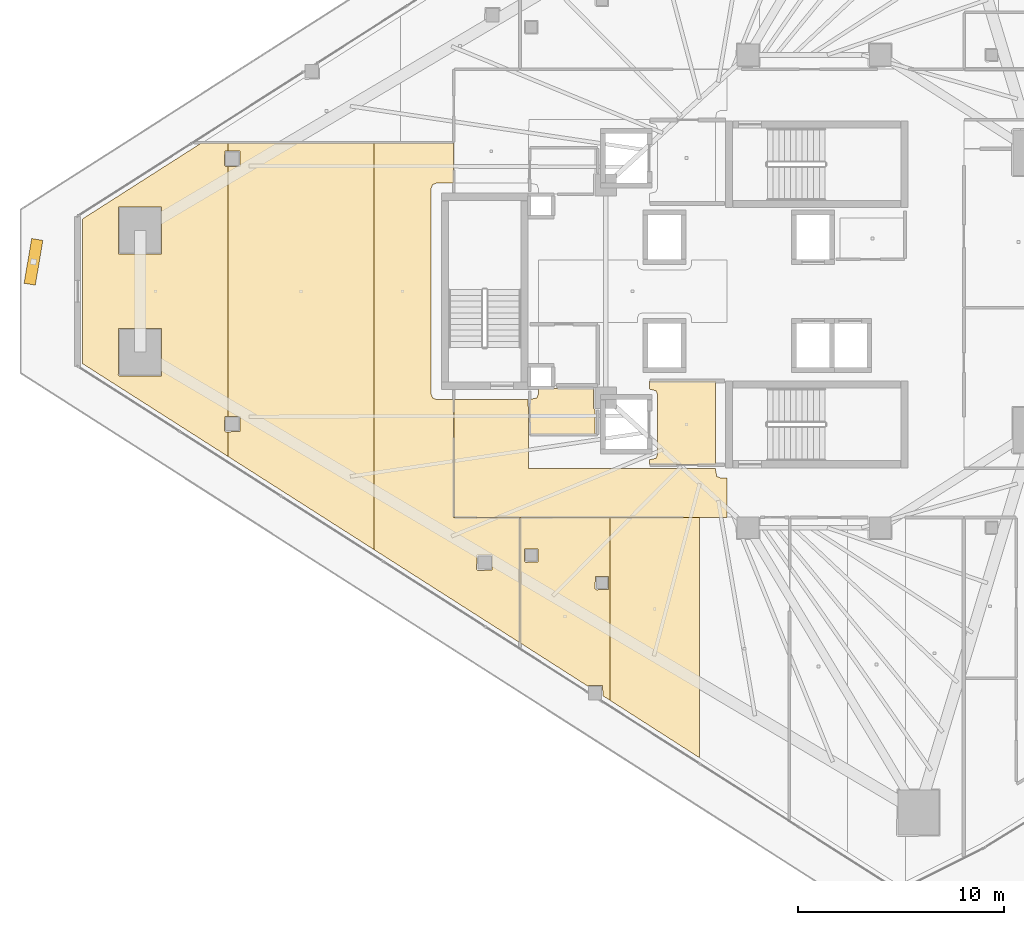
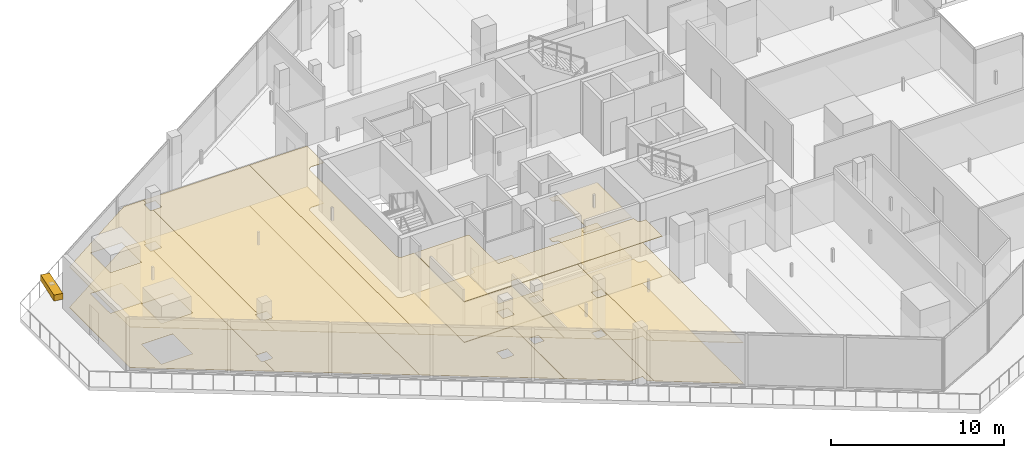
# One storey, part 30 of 36: 15 coverings, 1 shading device.
"""IFC4 building model written with IfcOpenShell, lengths in metres."""

from ifc_helpers import new_model, si_unit, direction, frame, origin, origin_2d, place, context, subcontext, project, spatial, polyline, rectangle, outline, extrude, material, layer, layer_set, type_object, element, save


model = new_model("IFC4")

# Units and contexts
model_context = context("Model", 3, precision=1e-05, world=origin(), true_north=direction((0.0, 1.0)))
body_context = subcontext(model_context, "Body", "Model", "MODEL_VIEW")
ifc_project = project(units=[si_unit("LENGTHUNIT", "METRE"), si_unit("AREAUNIT", "SQUARE_METRE"), si_unit("VOLUMEUNIT", "CUBIC_METRE"), si_unit("PLANEANGLEUNIT", "RADIAN"), si_unit("MASSUNIT", "GRAM", prefix="KILO")], contexts=[model_context])

# Site, building, storey
site_placement = place(None, origin())
site = spatial("IfcSite", under=ifc_project, at=site_placement, CompositionType="ELEMENT")
building_placement = place(site_placement, origin())
building = spatial("IfcBuilding", under=site, at=building_placement, Name="Qorvath Tower", CompositionType="ELEMENT")
storey_placement = place(building_placement, frame((0.0, 0.0, 170.550048828125)))
storey = spatial("IfcBuildingStorey", under=building, at=storey_placement, Name="L39", CompositionType="ELEMENT", Elevation=170.550048828125)

# Coverings
ifc_material_1 = material(Name="Acoustic mineral fibre ceiling tile", Category="gypsum")
ifc_layer_1 = layer(ifc_material_1, 0.030029296875)
ifc_layer_set_1 = layer_set([ifc_layer_1], Name="COV-CEIL")
covering_type_1 = type_object("IfcCoveringType", Name="COV-CEIL", PredefinedType="CEILING", material=ifc_layer_set_1)
covering_1_placement = place(storey_placement, frame((0.0, 0.0, 2.849853515625)))
element("IfcCovering", 1, at=covering_1_placement, inside=storey, type_object=covering_type_1, Name="L39 Suspended Acoustic Ceiling 002", PredefinedType="CEILING", context=body_context, shape_type="SweptSolid", body=[
    extrude(outline(polyline([(-25.18994140625, -8.39501953125), (-25.18994140625, -4.35498046875), (-28.375, -4.35498046875), (-28.375, -4.739990234375), (-28.063232421875, -4.813232421875), (-27.989990234375, -4.989990234375), (-27.989990234375, -7.909912109375), (-28.063232421875, -8.086669921875), (-28.375, -8.159912109375), (-28.375, -8.39501953125), (-25.18994140625, -8.39501953125)])), origin(), (0.0, 0.0, 1.0), 0.030029296875),
])
covering_2_placement = place(storey_placement, frame((0.0, 0.0, 2.849853515625)))
element("IfcCovering", 2, at=covering_2_placement, inside=storey, type_object=covering_type_1, Name="L39 Suspended Acoustic Ceiling 007", PredefinedType="CEILING", context=body_context, shape_type="SweptSolid", body=[
    extrude(outline(polyline([(-34.22509765625, -8.580078125), (-34.251220703125, -5.239990234375), (-37.844970703125, -5.239990234375), (-37.844970703125, -10.945068359375), (-24.621826171875, -10.945068359375), (-24.621826171875, -9.0400390625), (-24.93994140625, -9.0400390625), (-25.11669921875, -8.966796875), (-25.18994140625, -8.57421875), (-34.22509765625, -8.580078125)])), origin(), (0.0, 0.0, 1.0), 0.030029296875),
])
covering_3_placement = place(storey_placement, frame((0.0, 0.0, 2.849853515625)))
element("IfcCovering", 3, at=covering_3_placement, inside=storey, type_object=covering_type_1, Name="L39 Suspended Acoustic Ceiling 013", PredefinedType="CEILING", context=body_context, shape_type="SweptSolid", body=[
    extrude(outline(polyline([(-30.294189453125, -19.8095703125), (-30.294189453125, -10.955078125), (-34.64501953125, -10.962890625), (-34.64501953125, -17.0283203125), (-31.39013671875, -19.108642578125), (-30.648681640625, -19.093017578125), (-30.631103515625, -19.59375), (-30.294189453125, -19.8095703125)]), holes=[polyline([(-31.01220703125, -14.3994140625), (-30.99462890625, -13.806884765625), (-30.35986328125, -13.806884765625), (-30.35986328125, -14.441650390625), (-30.9521484375, -14.459228515625), (-31.01220703125, -14.3994140625)]), polyline([(-34.439208984375, -13.0673828125), (-34.421630859375, -12.47509765625), (-33.786865234375, -12.47509765625), (-33.786865234375, -13.10986328125), (-34.379150390625, -13.12744140625), (-34.439208984375, -13.0673828125)])]), origin(), (0.0, 0.0, 1.0), 0.030029296875),
])
covering_4_placement = place(storey_placement, frame((0.0, 0.0, 2.849853515625)))
element("IfcCovering", 4, at=covering_4_placement, inside=storey, type_object=covering_type_1, Name="L39 Suspended Acoustic Ceiling 014", PredefinedType="CEILING", context=body_context, shape_type="SweptSolid", body=[
    extrude(outline(polyline([(-25.943603515625, -22.598388671875), (-25.943603515625, -10.947021484375), (-30.294189453125, -10.955078125), (-30.294189453125, -19.8095703125), (-25.943603515625, -22.598388671875)])), origin(), (0.0, 0.0, 1.0), 0.030029296875),
])
covering_5_placement = place(storey_placement, frame((0.0, 0.0, 2.849853515625)))
element("IfcCovering", 5, at=covering_5_placement, inside=storey, type_object=covering_type_1, Name="L39 Suspended Acoustic Ceiling 033", PredefinedType="CEILING", context=body_context, shape_type="SweptSolid", body=[
    extrude(outline(polyline([(-55.840087890625, 3.505126953125), (-55.84375, -3.50048828125), (-48.783447265625, -8.005859375), (-48.783447265625, -6.806640625), (-48.9033203125, -6.8095703125), (-48.96337890625, -6.74951171875), (-48.94580078125, -6.05712890625), (-48.783447265625, -6.05712890625), (-48.783447265625, 6.042724609375), (-48.9033203125, 6.03955078125), (-48.96337890625, 6.099609375), (-48.94580078125, 6.7919921875), (-48.783447265625, 6.7919921875), (-48.783447265625, 7.185302734375), (-50.07861328125, 7.185302734375), (-55.840087890625, 3.505126953125)]), holes=[polyline([(-54.109375, -4.05078125), (-54.091796875, -1.808349609375), (-52.007080078125, -1.808349609375), (-52.007080078125, -4.09326171875), (-54.04931640625, -4.11083984375), (-54.109375, -4.05078125)]), polyline([(-54.091796875, 1.808349609375), (-54.091796875, 4.09326171875), (-52.007080078125, 4.09326171875), (-52.007080078125, 1.808349609375), (-54.091796875, 1.808349609375)])]), origin(), (0.0, 0.0, 1.0), 0.030029296875),
])
covering_6_placement = place(storey_placement, frame((0.0, 0.0, 2.849853515625)))
element("IfcCovering", 6, at=covering_6_placement, inside=storey, type_object=covering_type_1, Name="L39 Suspended Acoustic Ceiling 034", PredefinedType="CEILING", context=body_context, shape_type="SweptSolid", body=[
    extrude(outline(polyline([(-48.783447265625, 7.185302734375), (-48.783447265625, 6.7919921875), (-48.2109375, 6.7919921875), (-48.2109375, 6.05712890625), (-48.783447265625, 6.042724609375), (-48.783447265625, -6.05712890625), (-48.2109375, -6.05712890625), (-48.2109375, -6.7919921875), (-48.783447265625, -6.806640625), (-48.783447265625, -8.005859375), (-41.72314453125, -12.51123046875), (-41.72314453125, 7.18505859375), (-48.783447265625, 7.185302734375)])), origin(), (0.0, 0.0, 1.0), 0.030029296875),
])
covering_7_placement = place(storey_placement, frame((0.0, 0.0, 2.849853515625)))
element("IfcCovering", 7, at=covering_7_placement, inside=storey, type_object=covering_type_1, Name="L39 Suspended Acoustic Ceiling 035", PredefinedType="CEILING", context=body_context, shape_type="SweptSolid", body=[
    extrude(outline(polyline([(-41.72314453125, 7.18505859375), (-41.72314453125, -12.51123046875), (-34.6630859375, -17.016845703125), (-34.6630859375, -10.962890625), (-37.861572265625, -10.96142578125), (-37.863037109375, -5.239990234375), (-38.699951171875, -5.239990234375), (-38.876708984375, -5.166748046875), (-38.949951171875, -4.989990234375), (-38.949951171875, 4.989990234375), (-38.876708984375, 5.166748046875), (-38.699951171875, 5.239990234375), (-37.863037109375, 5.239990234375), (-37.863037109375, 7.18505859375), (-41.72314453125, 7.18505859375)]), holes=[polyline([(-36.749755859375, -13.46044921875), (-36.732177734375, -12.76806640625), (-35.997314453125, -12.76806640625), (-35.997314453125, -13.5029296875), (-36.689697265625, -13.5205078125), (-36.749755859375, -13.46044921875)])]), origin(), (0.0, 0.0, 1.0), 0.030029296875),
])
ifc_material_2 = material(Name="Low-VOC modular carpet tile", Category="textile")
ifc_layer_2 = layer(ifc_material_2, 0.014892578125)
ifc_layer_set_2 = layer_set([ifc_layer_2], Name="COV-FLOOR-CPT")
covering_type_2 = type_object("IfcCoveringType", Name="COV-FLOOR-CPT", PredefinedType="FLOORING", material=ifc_layer_set_2)
covering_8_placement = place(storey_placement, origin())
element("IfcCovering", 8, at=covering_8_placement, inside=storey, type_object=covering_type_2, Name="L39 Floor Finish 013", PredefinedType="FLOORING", context=body_context, shape_type="SweptSolid", body=[
    extrude(outline(polyline([(-30.294189453125, -19.8095703125), (-30.294189453125, -10.955078125), (-34.64501953125, -10.962890625), (-34.64501953125, -17.0283203125), (-31.39013671875, -19.108642578125), (-30.648681640625, -19.093017578125), (-30.631103515625, -19.59375), (-30.294189453125, -19.8095703125)]), holes=[polyline([(-31.01220703125, -14.3994140625), (-30.99462890625, -13.806884765625), (-30.35986328125, -13.806884765625), (-30.35986328125, -14.441650390625), (-30.9521484375, -14.459228515625), (-31.01220703125, -14.3994140625)]), polyline([(-34.439208984375, -13.0673828125), (-34.421630859375, -12.47509765625), (-33.786865234375, -12.47509765625), (-33.786865234375, -13.10986328125), (-34.379150390625, -13.12744140625), (-34.439208984375, -13.0673828125)])]), origin(), (0.0, 0.0, 1.0), 0.014892578125),
])
covering_9_placement = place(storey_placement, origin())
element("IfcCovering", 9, at=covering_9_placement, inside=storey, type_object=covering_type_2, Name="L39 Floor Finish 014", PredefinedType="FLOORING", context=body_context, shape_type="SweptSolid", body=[
    extrude(outline(polyline([(-25.943603515625, -22.598388671875), (-25.943603515625, -10.947021484375), (-30.294189453125, -10.955078125), (-30.294189453125, -19.8095703125), (-25.943603515625, -22.598388671875)])), origin(), (0.0, 0.0, 1.0), 0.014892578125),
])
covering_10_placement = place(storey_placement, origin())
element("IfcCovering", 10, at=covering_10_placement, inside=storey, type_object=covering_type_2, Name="L39 Floor Finish 033", PredefinedType="FLOORING", context=body_context, shape_type="SweptSolid", body=[
    extrude(outline(polyline([(-55.840087890625, 3.505126953125), (-55.84375, -3.50048828125), (-48.783447265625, -8.005859375), (-48.783447265625, -6.806640625), (-48.9033203125, -6.8095703125), (-48.96337890625, -6.74951171875), (-48.94580078125, -6.05712890625), (-48.783447265625, -6.05712890625), (-48.783447265625, 6.042724609375), (-48.9033203125, 6.03955078125), (-48.96337890625, 6.099609375), (-48.94580078125, 6.7919921875), (-48.783447265625, 6.7919921875), (-48.783447265625, 7.185302734375), (-50.07861328125, 7.185302734375), (-55.840087890625, 3.505126953125)]), holes=[polyline([(-54.109375, -4.05078125), (-54.091796875, -1.808349609375), (-52.007080078125, -1.808349609375), (-52.007080078125, -4.09326171875), (-54.04931640625, -4.11083984375), (-54.109375, -4.05078125)]), polyline([(-54.091796875, 1.808349609375), (-54.091796875, 4.09326171875), (-52.007080078125, 4.09326171875), (-52.007080078125, 1.808349609375), (-54.091796875, 1.808349609375)])]), origin(), (0.0, 0.0, 1.0), 0.014892578125),
])
covering_11_placement = place(storey_placement, origin())
element("IfcCovering", 11, at=covering_11_placement, inside=storey, type_object=covering_type_2, Name="L39 Floor Finish 034", PredefinedType="FLOORING", context=body_context, shape_type="SweptSolid", body=[
    extrude(outline(polyline([(-48.783447265625, 7.185302734375), (-48.783447265625, 6.7919921875), (-48.2109375, 6.7919921875), (-48.2109375, 6.05712890625), (-48.783447265625, 6.042724609375), (-48.783447265625, -6.05712890625), (-48.2109375, -6.05712890625), (-48.2109375, -6.7919921875), (-48.783447265625, -6.806640625), (-48.783447265625, -8.005859375), (-41.72314453125, -12.51123046875), (-41.72314453125, 7.18505859375), (-48.783447265625, 7.185302734375)])), origin(), (0.0, 0.0, 1.0), 0.014892578125),
])
covering_12_placement = place(storey_placement, origin())
element("IfcCovering", 12, at=covering_12_placement, inside=storey, type_object=covering_type_2, Name="L39 Floor Finish 035", PredefinedType="FLOORING", context=body_context, shape_type="SweptSolid", body=[
    extrude(outline(polyline([(-41.72314453125, 7.18505859375), (-41.72314453125, -12.51123046875), (-34.6630859375, -17.016845703125), (-34.6630859375, -10.962890625), (-37.861572265625, -10.96142578125), (-37.863037109375, -5.239990234375), (-38.699951171875, -5.239990234375), (-38.876708984375, -5.166748046875), (-38.949951171875, -4.989990234375), (-38.949951171875, 4.989990234375), (-38.876708984375, 5.166748046875), (-38.699951171875, 5.239990234375), (-37.863037109375, 5.239990234375), (-37.863037109375, 7.18505859375), (-41.72314453125, 7.18505859375)]), holes=[polyline([(-36.749755859375, -13.46044921875), (-36.732177734375, -12.76806640625), (-35.997314453125, -12.76806640625), (-35.997314453125, -13.5029296875), (-36.689697265625, -13.5205078125), (-36.749755859375, -13.46044921875)])]), origin(), (0.0, 0.0, 1.0), 0.014892578125),
])
ifc_material_3 = material(Name="Polished epoxy terrazzo flooring", Category="concrete")
ifc_layer_3 = layer(ifc_material_3, 0.02001953125)
ifc_layer_set_3 = layer_set([ifc_layer_3], Name="COV-FLOOR-TRZ")
covering_type_3 = type_object("IfcCoveringType", Name="COV-FLOOR-TRZ", PredefinedType="FLOORING", material=ifc_layer_set_3)
covering_13_placement = place(storey_placement, origin())
element("IfcCovering", 13, at=covering_13_placement, inside=storey, type_object=covering_type_3, Name="L39 Floor Finish 002", PredefinedType="FLOORING", context=body_context, shape_type="SweptSolid", body=[
    extrude(outline(polyline([(-25.18994140625, -8.39501953125), (-25.18994140625, -4.35498046875), (-28.375, -4.35498046875), (-28.375, -4.739990234375), (-28.063232421875, -4.813232421875), (-27.989990234375, -4.989990234375), (-27.989990234375, -7.909912109375), (-28.063232421875, -8.086669921875), (-28.375, -8.159912109375), (-28.375, -8.39501953125), (-25.18994140625, -8.39501953125)])), origin(), (0.0, 0.0, 1.0), 0.014892578125),
])
covering_14_placement = place(storey_placement, origin())
element("IfcCovering", 14, at=covering_14_placement, inside=storey, type_object=covering_type_3, Name="L39 Floor Finish 005", PredefinedType="FLOORING", context=body_context, shape_type="SweptSolid", body=[
    extrude(outline(polyline([(-31.0849609375, -4.705078125), (-33.760009765625, -4.705078125), (-33.760009765625, -4.989990234375), (-33.833251953125, -5.166748046875), (-34.175048828125, -5.239990234375), (-34.175048828125, -6.945068359375), (-31.010009765625, -6.945068359375), (-31.010009765625, -5.735107421875), (-31.0849609375, -5.675048828125), (-31.0849609375, -4.705078125)])), origin(), (0.0, 0.0, 1.0), 0.014892578125),
])
covering_15_placement = place(storey_placement, origin())
element("IfcCovering", 15, at=covering_15_placement, inside=storey, type_object=covering_type_3, Name="L39 Floor Finish 007", PredefinedType="FLOORING", context=body_context, shape_type="SweptSolid", body=[
    extrude(outline(polyline([(-34.22509765625, -8.580078125), (-34.251220703125, -5.239990234375), (-37.844970703125, -5.239990234375), (-37.844970703125, -10.945068359375), (-24.621826171875, -10.945068359375), (-24.621826171875, -9.0400390625), (-24.93994140625, -9.0400390625), (-25.11669921875, -8.966796875), (-25.18994140625, -8.57421875), (-34.22509765625, -8.580078125)])), origin(), (0.0, 0.0, 1.0), 0.014892578125),
])

# Shading device
ifc_material_4 = material(Name="Anodised bronze-champagne aluminium", Category="aluminium")
shading_device_type = type_object("IfcShadingDeviceType", Name="SD-LOUVRE", PredefinedType="JALOUSIE", material=ifc_material_4)
shading_device_placement = place(storey_placement, frame((-58.21484375, 1.427001953125, 3.330078125), z_axis=(0.0, 0.0, 1.0), x_axis=(-0.165913402883, -0.986140326092, 0.0)))
element("IfcShadingDevice", 16, at=shading_device_placement, inside=storey, type_object=shading_device_type, Name="Sinusoidal Wave Louvre Blade L39-01", PredefinedType="NOTDEFINED", context=body_context, shape_type="SweptSolid", body=[
    extrude(rectangle(XDim=2.199951171875, YDim=0.550048828125, at=origin_2d()), origin(), (0.0, 0.0, 1.0), 0.419921875),
])

save(model, "model.ifc")
